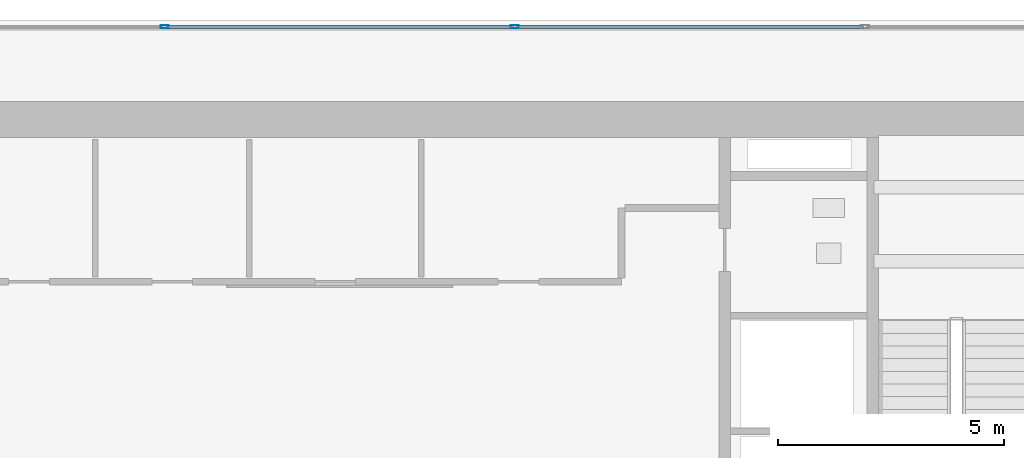
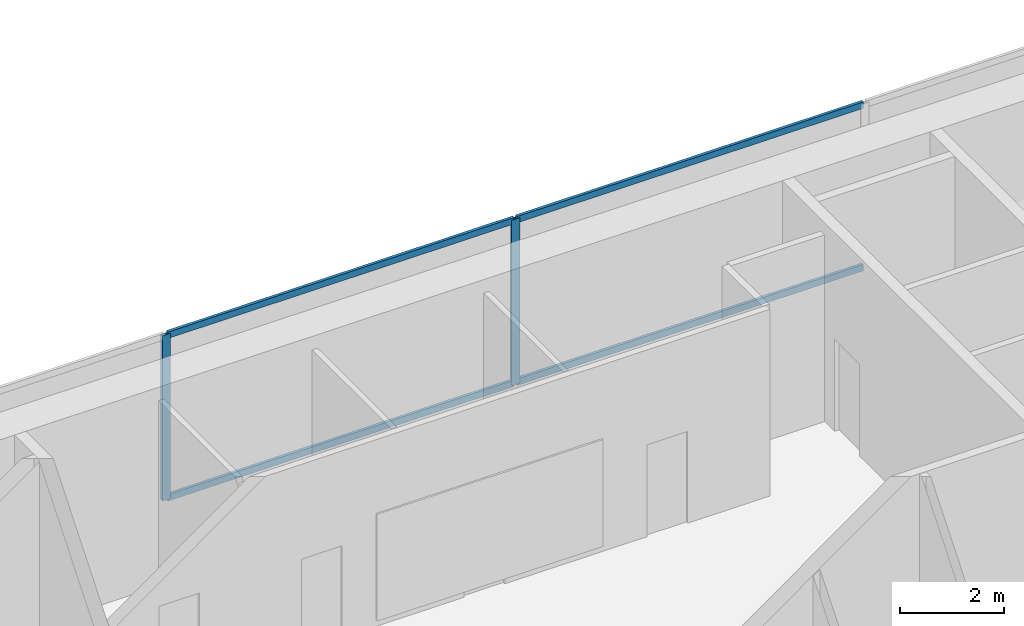
# One storey, part 5 of 17: 6 members, 1 element without a shape of its own.
"""IFC4 building model written with IfcOpenShell, lengths in metres."""

from ifc_helpers import new_model, si_unit, direction, frame, origin, origin_2d, place, context, subcontext, project, spatial, hollow_rectangle, extrude, source, transform, mapped, material, layer, layer_set, material_profile, profile_set, type_object, element, aggregate, save


model = new_model("IFC4")

# Units and contexts
model_context = context("Model", 3, precision=1e-05, world=origin(), true_north=direction((0.0, 1.0)))
body_context = subcontext(model_context, "Body", "Model", "MODEL_VIEW")
ifc_project = project(units=[si_unit("LENGTHUNIT", "METRE"), si_unit("AREAUNIT", "SQUARE_METRE"), si_unit("VOLUMEUNIT", "CUBIC_METRE"), si_unit("PLANEANGLEUNIT", "RADIAN"), si_unit("MASSUNIT", "GRAM", prefix="KILO")], contexts=[model_context])

# Site, building, storey
site_placement = place(None, origin())
site = spatial("IfcSite", under=ifc_project, at=site_placement, CompositionType="ELEMENT")
building_placement = place(site_placement, origin())
building = spatial("IfcBuilding", under=site, at=building_placement, Name="Sumidabori Civic Tower", CompositionType="ELEMENT")
storey_placement = place(building_placement, frame((0.0, 0.0, 9.64990234375)))
storey = spatial("IfcBuildingStorey", under=building, at=storey_placement, Name="L02", CompositionType="ELEMENT", Elevation=9.64990234375)

# Curtain wall, members
ifc_material = material(Name="Anodised Bronze Aluminium AW-6063-T6", Category="aluminium")
ifc_layer = layer(ifc_material, 0.179931640625, Name="Anodised Bronze Aluminium AW-6063-T6")
ifc_layer_set = layer_set([ifc_layer], Name="Anodised Bronze Aluminium AW-6063-T6")
curtain_wall_type = type_object("IfcCurtainWallType", Name="CW-SYS-1", PredefinedType="NOTDEFINED", material=ifc_layer_set)
curtain_wall_placement = place(storey_placement, origin())
curtain_wall = element("IfcCurtainWall", 1, at=curtain_wall_placement, inside=storey, type_object=curtain_wall_type, Name="Curtain Wall CW:L02:NORTH", PredefinedType="NOTDEFINED")
ifc_material_profile_1 = material_profile(ifc_material, hollow_rectangle(XDim=0.070068359375, YDim=0.179931640625, WallThickness=0.006103515625, at=origin_2d()), Name="ALU MULLION 180x70")
ifc_profile_set_1 = profile_set([ifc_material_profile_1], Name="Anodised Bronze Aluminium AW-6063-T6")
member_type_1 = type_object("IfcMemberType", Name="CW-MUL-180", PredefinedType="MULLION", material=ifc_profile_set_1)
shared_shape_1 = source(origin(), body_context, "Body", "SweptSolid", [
    extrude(hollow_rectangle(XDim=0.070068359375, YDim=0.179931640625, WallThickness=0.006103515625, at=origin_2d()), origin(), (0.0, 0.0, 1.0), 3.8701171875),
])
member_1_placement = place(storey_placement, frame((-3.86669921875, 25.85009765625, 0.0), z_axis=(0.0, 0.0, 1.0), x_axis=(0.0, 1.0, 0.0)))
member_1 = element("IfcMember", 2, at=member_1_placement, type_object=member_type_1, Name="CW-1 mullion 5", PredefinedType="MULLION", context=body_context, shape_type="MappedRepresentation", body=[
    mapped(shared_shape_1, transform((0.0, 0.0, 0.0), x_axis=(1.0, 0.0, 0.0), y_axis=(0.0, 1.0, 0.0), z_axis=(0.0, 0.0, 1.0), scale=1.0)),
])
member_2_placement = place(storey_placement, frame((3.86669921875, 25.85009765625, 0.0), z_axis=(0.0, 0.0, 1.0), x_axis=(0.0, 1.0, 0.0)))
member_2 = element("IfcMember", 3, at=member_2_placement, type_object=member_type_1, Name="CW-1 mullion 6", PredefinedType="MULLION", context=body_context, shape_type="MappedRepresentation", body=[
    mapped(shared_shape_1, transform((0.0, 0.0, 0.0), x_axis=(1.0, 0.0, 0.0), y_axis=(0.0, 1.0, 0.0), z_axis=(0.0, 0.0, 1.0), scale=1.0)),
])
ifc_material_profile_2 = material_profile(ifc_material, hollow_rectangle(XDim=0.06494140625, YDim=0.14990234375, WallThickness=0.0048828125, at=origin_2d()), Name="ALU TRANSOM 150x65")
ifc_profile_set_2 = profile_set([ifc_material_profile_2], Name="Anodised Bronze Aluminium AW-6063-T6")
member_type_2 = type_object("IfcMemberType", Name="CW-TRN-150", PredefinedType="USERDEFINED", material=ifc_profile_set_2)
shared_shape_2 = source(origin(), body_context, "Body", "SweptSolid", [
    extrude(hollow_rectangle(XDim=0.06494140625, YDim=0.14990234375, WallThickness=0.0048828125, at=origin_2d()), origin(), (0.0, 0.0, 1.0), 7.663330078125),
])
member_3_placement = place(storey_placement, frame((3.901611328125, 25.85009765625, 0.03271484375), z_axis=(1.0, 0.0, 0.0), x_axis=(0.0, 1.0, 0.0)))
member_3 = element("IfcMember", 4, at=member_3_placement, type_object=member_type_2, Name="CW-1 transom 6.1", ObjectType="TRANSOM", PredefinedType="USERDEFINED", context=body_context, shape_type="MappedRepresentation", body=[
    mapped(shared_shape_2, transform((0.0, 0.0, 0.0), x_axis=(1.0, 0.0, 0.0), y_axis=(0.0, 1.0, 0.0), z_axis=(0.0, 0.0, 1.0), scale=1.0)),
])
member_4_placement = place(storey_placement, frame((3.901611328125, 25.85009765625, 3.837646484375), z_axis=(1.0, 0.0, 0.0), x_axis=(0.0, 1.0, 0.0)))
member_4 = element("IfcMember", 5, at=member_4_placement, type_object=member_type_2, Name="CW-1 transom 6.2", ObjectType="TRANSOM", PredefinedType="USERDEFINED", context=body_context, shape_type="MappedRepresentation", body=[
    mapped(shared_shape_2, transform((0.0, 0.0, 0.0), x_axis=(1.0, 0.0, 0.0), y_axis=(0.0, 1.0, 0.0), z_axis=(0.0, 0.0, 1.0), scale=1.0)),
])
shared_shape_3 = source(origin(), body_context, "Body", "SweptSolid", [
    extrude(hollow_rectangle(XDim=0.06494140625, YDim=0.14990234375, WallThickness=0.0048828125, at=origin_2d()), origin(), (0.0, 0.0, 1.0), 7.66357421875),
])
member_5_placement = place(storey_placement, frame((-3.831787109375, 25.85009765625, 0.03271484375), z_axis=(1.0, 0.0, 0.0), x_axis=(0.0, 1.0, 0.0)))
member_5 = element("IfcMember", 6, at=member_5_placement, type_object=member_type_2, Name="CW-1 transom 5.1", ObjectType="TRANSOM", PredefinedType="USERDEFINED", context=body_context, shape_type="MappedRepresentation", body=[
    mapped(shared_shape_3, transform((0.0, 0.0, 0.0), x_axis=(1.0, 0.0, 0.0), y_axis=(0.0, 1.0, 0.0), z_axis=(0.0, 0.0, 1.0), scale=1.0)),
])
member_6_placement = place(storey_placement, frame((-3.831787109375, 25.85009765625, 3.837646484375), z_axis=(1.0, 0.0, 0.0), x_axis=(0.0, 1.0, 0.0)))
member_6 = element("IfcMember", 7, at=member_6_placement, type_object=member_type_2, Name="CW-1 transom 5.2", ObjectType="TRANSOM", PredefinedType="USERDEFINED", context=body_context, shape_type="MappedRepresentation", body=[
    mapped(shared_shape_3, transform((0.0, 0.0, 0.0), x_axis=(1.0, 0.0, 0.0), y_axis=(0.0, 1.0, 0.0), z_axis=(0.0, 0.0, 1.0), scale=1.0)),
])
aggregate(curtain_wall, [member_1, member_2, member_5, member_6, member_3, member_4])

save(model, "model.ifc")
